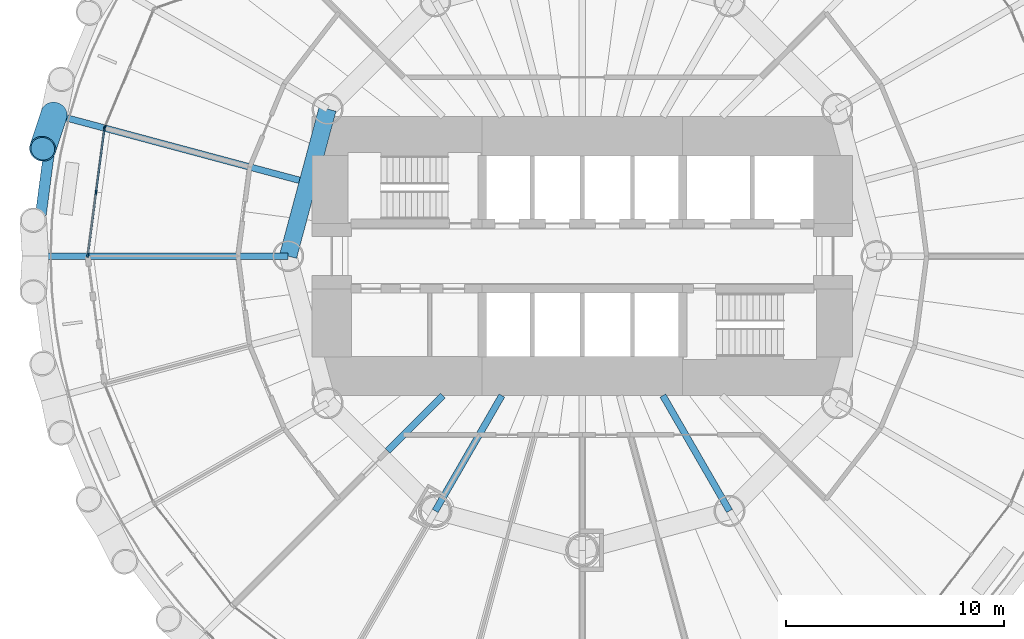
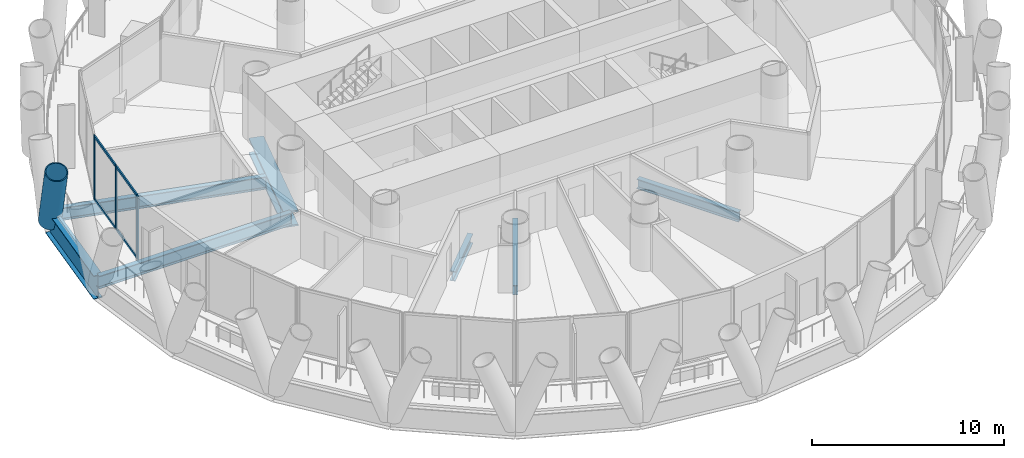
# One storey, part 3 of 14: 9 members, 7 beams, 2 elements without a shape of their own.
"""IFC4 building model written with IfcOpenShell, lengths in metres."""

import ifcopenshell
import ifcopenshell.guid

model = None  # the IFC model being written
_history = None  # IfcOwnerHistory: only IFC2X3 demands one
_inside = {}  # id of a spatial element -> (the spatial element, [elements in it])
_under = {}  # id of a project, library or spatial element -> (it, [spatial elements below it])
_declared = {}  # id of a project -> (the project, [libraries it declares])
_typed = {}  # id of a type object -> (the type object, [elements of that type])
_made_of = {}  # id of a material, layer set ... -> (it, [elements and type objects made of it])


def new_model(schema):
    """Start an empty IFC model of exactly this schema.

    Asked for "IFC4X3", IfcOpenShell would pick the latest addendum, in which some entities
    have other attributes; the version numbers below select the first issue.
    IFC2X3 requires an IfcOwnerHistory on every rooted entity: one is made here for all.
    """
    global model, _history
    if schema == "IFC4X3":
        model = ifcopenshell.file(schema_version=(4, 3, 0, 0))
    else:
        model = ifcopenshell.file(schema=schema)
    _inside.clear()
    _under.clear()
    _declared.clear()
    _typed.clear()
    _made_of.clear()
    _history = None
    if model.schema == "IFC2X3":
        org = make("IfcOrganization", Name="unknown")
        user = make(
            "IfcPersonAndOrganization",
            ThePerson=make("IfcPerson", FamilyName="unknown"),
            TheOrganization=org,
        )
        app = make(
            "IfcApplication",
            ApplicationDeveloper=org,
            Version="unknown",
            ApplicationFullName="unknown",
            ApplicationIdentifier="unknown",
        )
        _history = make(
            "IfcOwnerHistory",
            OwningUser=user,
            OwningApplication=app,
            ChangeAction="ADDED",
            CreationDate=0,
        )
    return model


def make(cls, **values):
    """One entity of the class cls with the attributes given. An attribute that is None is left unset."""
    return model.create_entity(
        cls, **{name: value for name, value in values.items() if value is not None}
    )


def rooted(cls, **values):
    """An entity with a GlobalId (a new one), such as an element, a storey or a relation."""
    return make(cls, GlobalId=ifcopenshell.guid.new(), OwnerHistory=_history, **values)


def si_unit(unit_type, name, prefix=None):
    """IfcSIUnit, for example si_unit("LENGTHUNIT", "METRE", prefix="MILLI")."""
    return make("IfcSIUnit", UnitType=unit_type, Prefix=prefix, Name=name)


def assignment(units):
    """IfcUnitAssignment: the units of a project."""
    return None if units is None else make("IfcUnitAssignment", Units=units)


def point(xyz):
    """IfcCartesianPoint."""
    return None if xyz is None else make("IfcCartesianPoint", Coordinates=xyz)


def direction(xyz):
    """IfcDirection."""
    return None if xyz is None else make("IfcDirection", DirectionRatios=xyz)


def frame(location, z_axis=None, x_axis=None):
    """IfcAxis2Placement3D, a coordinate frame: its origin and axes. An axis left out is left unset."""
    return make(
        "IfcAxis2Placement3D",
        Location=point(location),
        Axis=direction(z_axis),
        RefDirection=direction(x_axis),
    )


def frame_2d(location, x_axis=None):
    """IfcAxis2Placement2D, a coordinate frame in the plane: its origin and x axis."""
    return make(
        "IfcAxis2Placement2D", Location=point(location), RefDirection=direction(x_axis)
    )


def origin():
    """The frame at (0, 0, 0) with its axes left unset."""
    return frame((0.0, 0.0, 0.0))


def origin_2d():
    """The frame at (0, 0) in the plane with its x axis left unset."""
    return frame_2d((0.0, 0.0))


def place(relative_to, where):
    """IfcLocalPlacement: puts the frame where relative to a parent placement (None: the world)."""
    return make(
        "IfcLocalPlacement", PlacementRelTo=relative_to, RelativePlacement=where
    )


def context(
    kind, dimensions, precision=None, world=None, true_north=None, identifier=None
):
    """IfcGeometricRepresentationContext, for example the 3D "Model" context."""
    return make(
        "IfcGeometricRepresentationContext",
        ContextIdentifier=identifier,
        ContextType=kind,
        CoordinateSpaceDimension=dimensions,
        Precision=precision,
        WorldCoordinateSystem=world,
        TrueNorth=true_north,
    )


def subcontext(parent, identifier, kind, view, scale=None):
    """IfcGeometricRepresentationSubContext, for example "Body" below "Model"."""
    return make(
        "IfcGeometricRepresentationSubContext",
        ContextIdentifier=identifier,
        ContextType=kind,
        ParentContext=parent,
        TargetScale=scale,
        TargetView=view,
    )


def project(units=None, contexts=None):
    """IfcProject with its units and contexts."""
    return rooted(
        "IfcProject",
        Name="project",
        RepresentationContexts=contexts,
        UnitsInContext=assignment(units),
    )


def spatial(cls, under=None, at=None, **own):
    """A site, building, storey or space (cls), placed at a placement, below another one or the project."""
    s = rooted(cls, ObjectPlacement=at, **own)
    if under is not None:
        _under.setdefault(under.id(), (under, []))[1].append(s)
    return s


def profile(cls, at=None, kind="AREA", **sizes):
    """A parametric profile (cls). Its sizes go by their IFC names, for example OverallWidth=200.0."""
    return make(cls, ProfileType=kind, Position=at, **sizes)


def rectangle(**sizes):
    """IfcRectangleProfileDef."""
    return profile("IfcRectangleProfileDef", **sizes)


def hollow_circle(**sizes):
    """IfcCircleHollowProfileDef."""
    return profile("IfcCircleHollowProfileDef", **sizes)


def i_section(**sizes):
    """IfcIShapeProfileDef."""
    return profile("IfcIShapeProfileDef", **sizes)


def extrude(swept, where, along, depth):
    """IfcExtrudedAreaSolid: the profile swept, set in the frame where, extruded along a direction by depth."""
    return make(
        "IfcExtrudedAreaSolid",
        SweptArea=swept,
        Position=where,
        ExtrudedDirection=direction(along),
        Depth=depth,
    )


def shape(context_of_items, identifier, shape_type, items):
    """IfcShapeRepresentation: the items that make up one representation, for example the "Body"."""
    return make(
        "IfcShapeRepresentation",
        ContextOfItems=context_of_items,
        RepresentationIdentifier=identifier,
        RepresentationType=shape_type,
        Items=items,
    )


def material(Name=None, Category=None):
    """IfcMaterial."""
    return make("IfcMaterial", Name=Name, Category=Category)


def material_profile(
    of_material, cross_section, Name=None, Category=None, Priority=None
):
    """IfcMaterialProfile: a cross section and its material."""
    return make(
        "IfcMaterialProfile",
        Name=Name,
        Material=of_material,
        Profile=cross_section,
        Priority=Priority,
        Category=Category,
    )


def profile_set(profiles, Name=None, composite=None):
    """IfcMaterialProfileSet."""
    return make(
        "IfcMaterialProfileSet",
        Name=Name,
        MaterialProfiles=profiles,
        CompositeProfile=composite,
    )


def made_of(thing, what):
    """Note that an element or type object is made of a material, layer set ...; save() writes the relation."""
    if what is not None:
        _made_of.setdefault(what.id(), (what, []))[1].append(thing)
    return thing


def type_object(cls, material=None, **own):
    """A type object (cls), such as IfcWallType, which elements share."""
    return made_of(rooted(cls, **own), material)


def element(
    cls,
    number,
    at=None,
    inside=None,
    cuts=None,
    type_object=None,
    material=None,
    context=None,
    identifier="Body",
    shape_type=None,
    held_by="IfcProductDefinitionShape",
    body=None,
    shapes=None,
    **own,
):
    """One element of the class cls, such as IfcWall. Its Tag is "e" and its number.

    at: its placement. inside: the storey or other place that contains it. cuts: it is an
    opening in that element (IfcRelVoidsElement). A single representation is given by context,
    identifier, shape_type and body (its items); several are given by shapes. held_by: the class
    of the entity that holds the representations. save() writes the other relations.
    """
    e = rooted(cls, Tag="e%d" % number, ObjectPlacement=at, **own)
    if body is not None:
        shapes = [shape(context, identifier, shape_type, body)]
    if shapes is not None:
        e.Representation = make(held_by, Representations=shapes)
    if inside is not None:
        _inside.setdefault(inside.id(), (inside, []))[1].append(e)
    if cuts is not None:
        rooted(
            "IfcRelVoidsElement", RelatingBuildingElement=cuts, RelatedOpeningElement=e
        )
    if type_object is not None:
        _typed.setdefault(type_object.id(), (type_object, []))[1].append(e)
    return made_of(e, material)


def aggregate(whole, parts):
    """IfcRelAggregates: a whole, such as a stair, and the parts it consists of."""
    return rooted("IfcRelAggregates", RelatingObject=whole, RelatedObjects=parts)


def save(model, path):
    """Write the relations noted so far, then the file.

    IfcRelAggregates (storeys below a building ...), IfcRelContainedInSpatialStructure (elements
    in a storey), IfcRelDefinesByType, IfcRelAssociatesMaterial and IfcRelDeclares: one each for
    every whole, place, type object, material and project.
    """
    for whole, parts in _under.values():
        aggregate(whole, parts)
    for where, things in _inside.values():
        rooted(
            "IfcRelContainedInSpatialStructure",
            RelatedElements=things,
            RelatingStructure=where,
        )
    for kind, things in _typed.values():
        rooted("IfcRelDefinesByType", RelatedObjects=things, RelatingType=kind)
    for what, things in _made_of.values():
        rooted("IfcRelAssociatesMaterial", RelatedObjects=things, RelatingMaterial=what)
    for by, libraries in _declared.values():
        rooted("IfcRelDeclares", RelatingContext=by, RelatedDefinitions=libraries)
    model.write(path)


model = new_model("IFC4")

# Units and contexts
model_context = context("Model", 3, precision=1e-05, world=origin(), true_north=direction((0.0, 1.0)))
body_context = subcontext(model_context, "Body", "Model", "MODEL_VIEW")
ifc_project = project(units=[si_unit("LENGTHUNIT", "METRE"), si_unit("AREAUNIT", "SQUARE_METRE"), si_unit("VOLUMEUNIT", "CUBIC_METRE"), si_unit("PLANEANGLEUNIT", "RADIAN"), si_unit("MASSUNIT", "GRAM", prefix="KILO")], contexts=[model_context])

# Site, building, storey
site_placement = place(None, origin())
site = spatial("IfcSite", under=ifc_project, at=site_placement, CompositionType="ELEMENT")
building_placement = place(site_placement, origin())
building = spatial("IfcBuilding", under=site, at=building_placement, Name="Qaws Media Tower", CompositionType="ELEMENT")
storey_placement = place(building_placement, frame((0.0, 0.0, 59.60009765625)))
storey = spatial("IfcBuildingStorey", under=building, at=storey_placement, Name="L12", CompositionType="ELEMENT", Elevation=59.60009765625)

# Curtain wall, member
ifc_material_1 = material(Name="Aluminium and clear glass", Category="aluminium")
curtain_wall_type = type_object("IfcCurtainWallType", Name="Unitised curtain wall CW-A", PredefinedType="NOTDEFINED", material=ifc_material_1)
curtain_wall_1_placement = place(storey_placement, origin())
curtain_wall_1 = element("IfcCurtainWall", 1, at=curtain_wall_1_placement, inside=storey, type_object=curtain_wall_type, Name="CWA curtain wall L12-11", PredefinedType="NOTDEFINED")
ifc_material_2 = material(Name="Aluminium mullion", Category="aluminium")
ifc_material_profile_1 = material_profile(ifc_material_2, rectangle(XDim=0.080078125, YDim=0.199951171875, at=origin_2d()), Name="80x200")
ifc_profile_set_1 = profile_set([ifc_material_profile_1], Name="Aluminium mullion")
member_type_1 = type_object("IfcMemberType", Name="Curtain wall mullion 80x200", PredefinedType="MULLION", material=ifc_profile_set_1)
member_1_placement = place(storey_placement, frame((38.0888671875, 55.912109375, 0.0), z_axis=(0.0, 0.0, 1.0), x_axis=(0.923879575765, -0.382683327941, 0.0)))
member_1 = element("IfcMember", 2, at=member_1_placement, type_object=member_type_1, Name="CWA mullion 3", PredefinedType="MULLION", context=body_context, shape_type="SweptSolid", body=[
    extrude(rectangle(XDim=0.080078125, YDim=0.199951171875, at=origin_2d()), origin(), (0.0, 0.0, 1.0), 4.039794921875),
])
aggregate(curtain_wall_1, [member_1])

# Curtain wall, members
curtain_wall_2_placement = place(storey_placement, origin())
curtain_wall_2 = element("IfcCurtainWall", 3, at=curtain_wall_2_placement, inside=storey, type_object=curtain_wall_type, Name="CWA curtain wall L12-12", PredefinedType="NOTDEFINED")
member_2_placement = place(storey_placement, frame((38.068359375, 55.83544921875, 0.0), z_axis=(0.0, 0.0, 1.0), x_axis=(0.991444854836, -0.130526241882, 0.0)))
member_2 = element("IfcMember", 4, at=member_2_placement, type_object=member_type_1, Name="CWA mullion 1", PredefinedType="MULLION", context=body_context, shape_type="SweptSolid", body=[
    extrude(rectangle(XDim=0.080078125, YDim=0.199951171875, at=origin_2d()), origin(), (0.0, 0.0, 1.0), 4.039794921875),
])
member_3_placement = place(storey_placement, frame((37.686767578125, 52.9375, 0.0), z_axis=(0.0, 0.0, 1.0), x_axis=(0.991444854836, -0.130526241882, 0.0)))
member_3 = element("IfcMember", 5, at=member_3_placement, type_object=member_type_1, Name="CWA mullion 2", PredefinedType="MULLION", context=body_context, shape_type="SweptSolid", body=[
    extrude(rectangle(XDim=0.080078125, YDim=0.199951171875, at=origin_2d()), origin(), (0.0, 0.0, 1.0), 4.039794921875),
])
member_4_placement = place(storey_placement, frame((37.30517578125, 50.03955078125, 0.0), z_axis=(0.0, 0.0, 1.0), x_axis=(0.991444854836, -0.130526241882, 0.0)))
member_4 = element("IfcMember", 6, at=member_4_placement, type_object=member_type_1, Name="CWA mullion 3", PredefinedType="MULLION", context=body_context, shape_type="SweptSolid", body=[
    extrude(rectangle(XDim=0.080078125, YDim=0.199951171875, at=origin_2d()), origin(), (0.0, 0.0, 1.0), 4.039794921875),
])
ifc_material_3 = material(Name="Aluminium transom", Category="aluminium")
ifc_material_profile_2 = material_profile(ifc_material_3, rectangle(XDim=0.080078125, YDim=0.159912109375, at=origin_2d()), Name="80x160")
ifc_profile_set_2 = profile_set([ifc_material_profile_2], Name="Aluminium transom")
member_type_2 = type_object("IfcMemberType", Name="Curtain wall transom 80x160", PredefinedType="USERDEFINED", material=ifc_profile_set_2)
member_5_placement = place(storey_placement, frame((38.06298828125, 55.7958984375, 0.039794921875), z_axis=(-0.130532262837, -0.991444062143, 0.0), x_axis=(0.991444062143, -0.130532262837, 0.0)))
member_5 = element("IfcMember", 7, at=member_5_placement, type_object=member_type_2, Name="CWA transom 1.1", ObjectType="TRANSOM", PredefinedType="USERDEFINED", context=body_context, shape_type="SweptSolid", body=[
    extrude(rectangle(XDim=0.080078125, YDim=0.159912109375, at=origin_2d()), origin(), (0.0, 0.0, 1.0), 2.843017578125),
])
member_6_placement = place(storey_placement, frame((38.06298828125, 55.7958984375, 4.0), z_axis=(-0.130532262837, -0.991444062143, 0.0), x_axis=(0.991444062143, -0.130532262837, 0.0)))
member_6 = element("IfcMember", 8, at=member_6_placement, type_object=member_type_2, Name="CWA transom 1.2", ObjectType="TRANSOM", PredefinedType="USERDEFINED", context=body_context, shape_type="SweptSolid", body=[
    extrude(rectangle(XDim=0.080078125, YDim=0.159912109375, at=origin_2d()), origin(), (0.0, 0.0, 1.0), 2.843017578125),
])
member_7_placement = place(storey_placement, frame((37.681640625, 52.89794921875, 0.039794921875), z_axis=(-0.130532262837, -0.991444062143, 0.0), x_axis=(0.991444062143, -0.130532262837, 0.0)))
member_7 = element("IfcMember", 9, at=member_7_placement, type_object=member_type_2, Name="CWA transom 2.1", ObjectType="TRANSOM", PredefinedType="USERDEFINED", context=body_context, shape_type="SweptSolid", body=[
    extrude(rectangle(XDim=0.080078125, YDim=0.159912109375, at=origin_2d()), origin(), (0.0, 0.0, 1.0), 2.843017578125),
])
member_8_placement = place(storey_placement, frame((37.681640625, 52.89794921875, 4.0), z_axis=(-0.130532262837, -0.991444062143, 0.0), x_axis=(0.991444062143, -0.130532262837, 0.0)))
member_8 = element("IfcMember", 10, at=member_8_placement, type_object=member_type_2, Name="CWA transom 2.2", ObjectType="TRANSOM", PredefinedType="USERDEFINED", context=body_context, shape_type="SweptSolid", body=[
    extrude(rectangle(XDim=0.080078125, YDim=0.159912109375, at=origin_2d()), origin(), (0.0, 0.0, 1.0), 2.843017578125),
])
aggregate(curtain_wall_2, [member_2, member_3, member_4, member_5, member_6, member_7, member_8])

# Member
ifc_material_4 = material(Name="Steel S460", Category="steel")
ifc_material_profile_3 = material_profile(ifc_material_4, hollow_circle(Radius=0.609619140625, WallThickness=0.06005859375, at=origin_2d()), Name="CHS 1219x60")
ifc_profile_set_3 = profile_set([ifc_material_profile_3], Name="Steel S460")
member_type_3 = type_object("IfcMemberType", Name="Diagrid member CHS 1219x60", PredefinedType="USERDEFINED", material=ifc_profile_set_3)
member_9_placement = place(storey_placement, frame((35.75537109375, 56.496337890625, -0.91015625), z_axis=(-0.115255719276, -0.347876483521, 0.930428971705), x_axis=(0.949257302404, -0.314500514836, 0.0)))
element("IfcMember", 11, at=member_9_placement, inside=storey, type_object=member_type_3, Name="DG1 diagrid L12 A12", ObjectType="DIAGRID", PredefinedType="USERDEFINED", context=body_context, shape_type="SweptSolid", body=[
    extrude(hollow_circle(Radius=0.609619140625, WallThickness=0.06005859375, at=origin_2d()), origin(), (0.0, 0.0, 1.0), 4.513916015625),
])

# Beams
ifc_material_5 = material(Name="Steel S460", Category="steel")
ifc_material_profile_4 = material_profile(ifc_material_5, i_section(OverallWidth=0.5, OverallDepth=1.5, WebThickness=0.02001953125, FlangeThickness=0.0400390625, at=origin_2d()), Name="PG 1500x500")
ifc_profile_set_4 = profile_set([ifc_material_profile_4], Name="Steel S460")
beam_type_1 = type_object("IfcBeamType", Name="Edge ring beam PG 1500x500", PredefinedType="BEAM", material=ifc_profile_set_4)
beam_1_placement = place(storey_placement, frame((35.75537109375, 56.496337890625, -0.91015625), z_axis=(-0.130557641571, -0.991440720481, 0.0), x_axis=(0.991440720481, -0.130557641571, 0.0)))
element("IfcBeam", 12, at=beam_1_placement, inside=storey, type_object=beam_type_1, Name="RB4 edge ring beam L12-12", PredefinedType="BEAM", context=body_context, shape_type="SweptSolid", body=[
    extrude(i_section(OverallWidth=0.5, OverallDepth=1.5, WebThickness=0.02001953125, FlangeThickness=0.0400390625, at=origin_2d()), origin(), (0.0, 0.0, 1.0), 6.552490234375),
])
ifc_material_6 = material(Name="Steel S460", Category="steel")
ifc_material_profile_5 = material_profile(ifc_material_6, i_section(OverallWidth=0.800048828125, OverallDepth=1.0, WebThickness=0.0400390625, FlangeThickness=0.10009765625, at=origin_2d()), Name="PG 1000x800")
ifc_profile_set_5 = profile_set([ifc_material_profile_5], Name="Steel S460")
beam_type_2 = type_object("IfcBeamType", Name="Inner ring girder PG 1000x800", PredefinedType="BEAM", material=ifc_profile_set_5)
beam_2_placement = place(storey_placement, frame((48.30859375, 56.75, -0.66015625), z_axis=(-0.258810593767, -0.965928090778, 0.0), x_axis=(0.965928090778, -0.258810593767, 0.0)))
element("IfcBeam", 13, at=beam_2_placement, inside=storey, type_object=beam_type_2, Name="B3 inner ring beam L12 I06-I07", PredefinedType="BEAM", context=body_context, shape_type="SweptSolid", body=[
    extrude(i_section(OverallWidth=0.800048828125, OverallDepth=1.0, WebThickness=0.0400390625, FlangeThickness=0.10009765625, at=origin_2d()), origin(), (0.0, 0.0, 1.0), 6.988037109375),
])
ifc_material_7 = material(Name="Steel S355", Category="steel")
ifc_material_profile_6 = material_profile(ifc_material_7, i_section(OverallWidth=0.304931640625, OverallDepth=0.6201171875, WebThickness=0.02099609375, FlangeThickness=0.0400390625, FilletRadius=0.027099609375, at=origin_2d()), Name="HE 600 M")
ifc_profile_set_6 = profile_set([ifc_material_profile_6], Name="Steel S355")
beam_type_3 = type_object("IfcBeamType", Name="Radial beam HE 600 M, core side", PredefinedType="BEAM", material=ifc_profile_set_6)
beam_3_placement = place(storey_placement, frame((53.60009765625, 43.60009765625, -0.47021484375), z_axis=(-0.707106781187, -0.707106781187, 0.0), x_axis=(0.707106781187, -0.707106781187, 0.0)))
element("IfcBeam", 14, at=beam_3_placement, inside=storey, type_object=beam_type_3, Name="B2 radial beam L12 16", PredefinedType="BEAM", context=body_context, shape_type="SweptSolid", body=[
    extrude(i_section(OverallWidth=0.304931640625, OverallDepth=0.6201171875, WebThickness=0.02099609375, FlangeThickness=0.0400390625, FilletRadius=0.027099609375, at=origin_2d()), origin(), (0.0, 0.0, 1.0), 3.589111328125),
])
for number, where, z_axis, x_axis, name in (
    (15, (56.304931640625, 43.60009765625, -0.47021484375), (-0.49998532359, -0.866033877048, 0.0), (0.866033877048, -0.49998532359, 0.0), "B2 radial beam L12 17"),
    (16, (63.695068359375, 43.60009765625, -0.47021484375), (0.49998532359, -0.866033877048, 0.0), (0.866033877048, 0.49998532359, 0.0), "B2 radial beam L12 21"),
):
    element("IfcBeam", number, at=place(storey_placement, frame(where, z_axis=z_axis, x_axis=x_axis)), inside=storey, type_object=beam_type_3, Name=name, PredefinedType="BEAM", context=body_context, shape_type="SweptSolid", body=[
        extrude(i_section(OverallWidth=0.304931640625, OverallDepth=0.6201171875, WebThickness=0.02099609375, FlangeThickness=0.0400390625, FilletRadius=0.027099609375, at=origin_2d()), origin(), (0.0, 0.0, 1.0), 6.110107421875),
    ])
ifc_material_8 = material(Name="Steel S355", Category="steel")
ifc_material_profile_7 = material_profile(ifc_material_8, i_section(OverallWidth=0.300048828125, OverallDepth=0.800048828125, WebThickness=0.017578125, FlangeThickness=0.032958984375, FilletRadius=0.030029296875, at=origin_2d()), Name="HE 800 B")
ifc_profile_set_7 = profile_set([ifc_material_profile_7], Name="Steel S355")
beam_type_4 = type_object("IfcBeamType", Name="Radial beam HE 800 B", PredefinedType="BEAM", material=ifc_profile_set_7)
beam_4_placement = place(storey_placement, frame((47.01806640625, 53.478515625, -0.56005859375), z_axis=(-0.965925994556, 0.258818417123, 0.0), x_axis=(-0.258818417123, -0.965925994556, 0.0)))
element("IfcBeam", 17, at=beam_4_placement, inside=storey, type_object=beam_type_4, Name="B1 radial beam L12 12", PredefinedType="BEAM", context=body_context, shape_type="SweptSolid", body=[
    extrude(i_section(OverallWidth=0.300048828125, OverallDepth=0.800048828125, WebThickness=0.017578125, FlangeThickness=0.032958984375, FilletRadius=0.030029296875, at=origin_2d()), origin(), (0.0, 0.0, 1.0), 11.659912109375),
])
beam_5_placement = place(storey_placement, frame((46.5, 50.0, -0.56005859375), z_axis=(-1.0, 0.0, 0.0), x_axis=(0.0, -1.0, 0.0)))
element("IfcBeam", 18, at=beam_5_placement, inside=storey, type_object=beam_type_4, Name="B1 radial beam L12 13", PredefinedType="BEAM", context=body_context, shape_type="SweptSolid", body=[
    extrude(i_section(OverallWidth=0.300048828125, OverallDepth=0.800048828125, WebThickness=0.017578125, FlangeThickness=0.032958984375, FilletRadius=0.030029296875, at=origin_2d()), origin(), (0.0, 0.0, 1.0), 11.60009765625),
])

save(model, "model.ifc")
